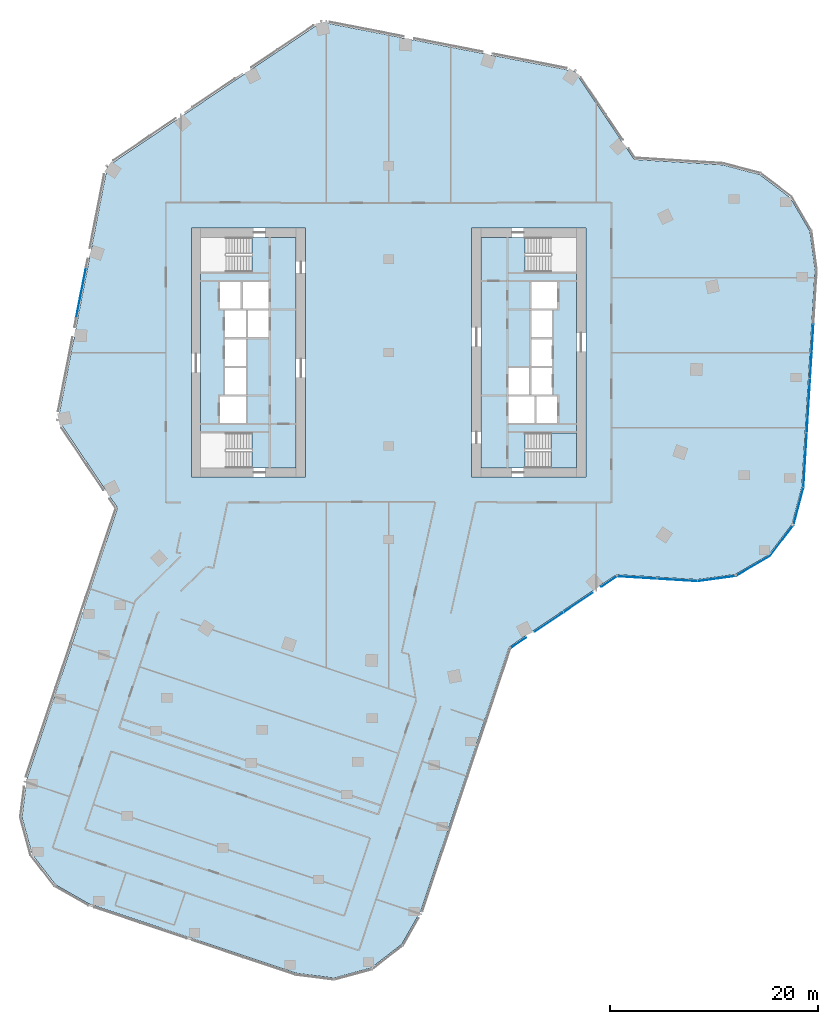
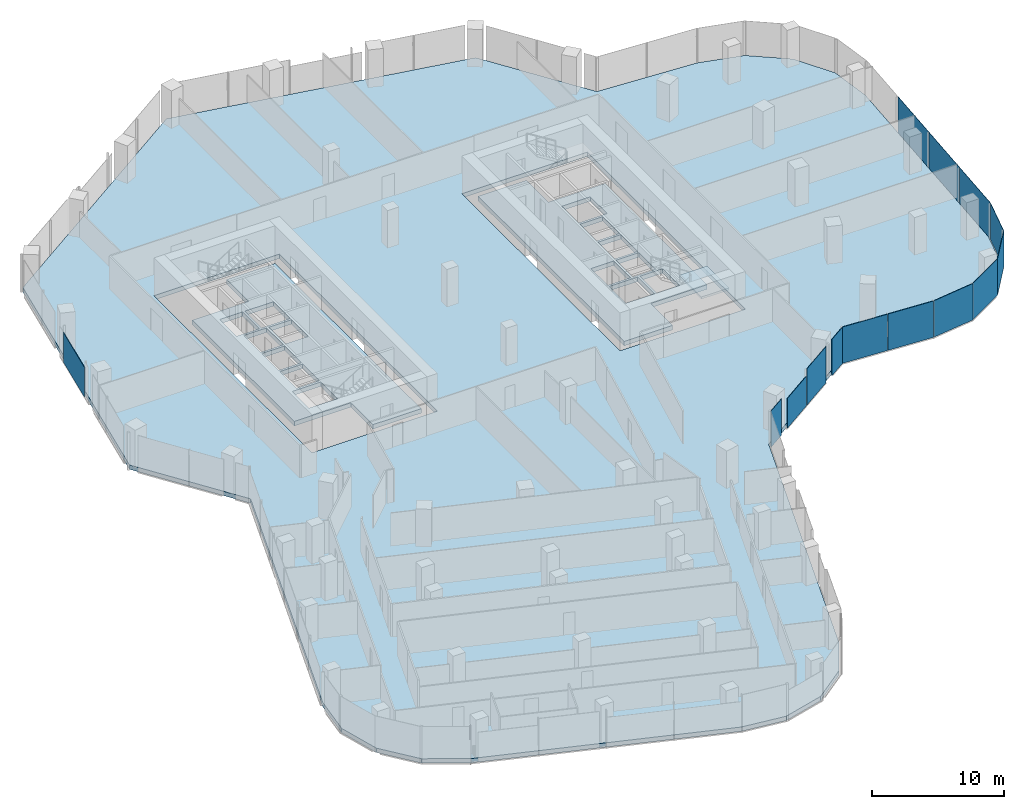
# One storey, part 16 of 25: 14 plates, 4 slabs, 9 elements without a shape of their own.
"""IFC4 building model written with IfcOpenShell, lengths in metres."""

from ifc_helpers import new_model, si_unit, direction, frame, origin, origin_2d, place, context, subcontext, project, spatial, polyline, rectangle, outline, extrude, material, layer, layer_set, type_object, element, aggregate, save


model = new_model("IFC4")

# Units and contexts
model_context = context("Model", 3, precision=1e-05, world=origin(), true_north=direction((0.0, 1.0)))
body_context = subcontext(model_context, "Body", "Model", "MODEL_VIEW")
ifc_project = project(units=[si_unit("LENGTHUNIT", "METRE"), si_unit("AREAUNIT", "SQUARE_METRE"), si_unit("VOLUMEUNIT", "CUBIC_METRE"), si_unit("PLANEANGLEUNIT", "RADIAN"), si_unit("MASSUNIT", "GRAM", prefix="KILO")], contexts=[model_context])

# Site, building, storey
site_placement = place(None, origin())
site = spatial("IfcSite", under=ifc_project, at=site_placement, CompositionType="ELEMENT")
building_placement = place(site_placement, origin())
building = spatial("IfcBuilding", under=site, at=building_placement, Name="Orlundy Tower", CompositionType="ELEMENT")
storey_placement = place(building_placement, frame((0.0, 0.0, 159.60009765625)))
storey = spatial("IfcBuildingStorey", under=building, at=storey_placement, Name="L41", CompositionType="ELEMENT", Elevation=159.60009765625)

# Curtain wall, plate
ifc_material_1 = material(Name="Aluminium bronze anodised", Category="aluminium")
curtain_wall_type = type_object("IfcCurtainWallType", Name="CW1 wall", PredefinedType="NOTDEFINED", material=ifc_material_1)
curtain_wall_1_placement = place(storey_placement, origin())
curtain_wall_1 = element("IfcCurtainWall", 1, at=curtain_wall_1_placement, inside=storey, type_object=curtain_wall_type, Name="CW1 run 02", PredefinedType="NOTDEFINED")
ifc_material_2 = material(Name="Tinted glass", Category="glass")
ifc_layer_1 = layer(ifc_material_2, 0.031982421875)
ifc_layer_set_1 = layer_set([ifc_layer_1], Name="CW1 glass panel 32")
plate_type = type_object("IfcPlateType", Name="CW1 glass panel 32", PredefinedType="CURTAIN_PANEL", material=ifc_layer_set_1)
plate_1_placement = place(storey_placement, frame((-29.610107421875, 5.75537109375, -0.2802734375), z_axis=(0.0, 0.0, 1.0), x_axis=(0.19080503976, 0.981627952333, 0.0)))
plate_1 = element("IfcPlate", 2, at=plate_1_placement, type_object=plate_type, Name="CW1 panel", PredefinedType="CURTAIN_PANEL", context=body_context, shape_type="SweptSolid", body=[
    extrude(rectangle(XDim=4.92041015625, YDim=0.031982421875, at=origin_2d()), origin(), (0.0, 0.0, 1.0), 2.763916015625),
])
aggregate(curtain_wall_1, [plate_1])

# Curtain wall, plates
curtain_wall_2_placement = place(storey_placement, origin())
curtain_wall_2 = element("IfcCurtainWall", 3, at=curtain_wall_2_placement, inside=storey, type_object=curtain_wall_type, Name="CW1 run 011", PredefinedType="NOTDEFINED")
plate_2_placement = place(storey_placement, frame((40.748046875, 0.1376953125, -0.280029296875), z_axis=(0.0, 0.0, 1.0), x_axis=(-0.061047131434, -0.998134884544, 0.0)))
plate_2 = element("IfcPlate", 4, at=plate_2_placement, type_object=plate_type, Name="CW1 panel", PredefinedType="CURTAIN_PANEL", context=body_context, shape_type="SweptSolid", body=[
    extrude(rectangle(XDim=5.199951171875, YDim=0.031982421875, at=origin_2d()), origin(), (0.0, 0.0, 1.0), 3.3798828125),
])
plate_3_placement = place(storey_placement, frame((40.427490234375, -5.1025390625, -0.280029296875), z_axis=(0.0, 0.0, 1.0), x_axis=(-0.061047131434, -0.998134884544, 0.0)))
plate_3 = element("IfcPlate", 5, at=plate_3_placement, type_object=plate_type, Name="CW1 panel", PredefinedType="CURTAIN_PANEL", context=body_context, shape_type="SweptSolid", body=[
    extrude(rectangle(XDim=5.199951171875, YDim=0.031982421875, at=origin_2d()), origin(), (0.0, 0.0, 1.0), 3.3798828125),
])
plate_4_placement = place(storey_placement, frame((40.1064453125, -10.350830078125, -0.280029296875), z_axis=(0.0, 0.0, 1.0), x_axis=(-0.061047131434, -0.998134884544, 0.0)))
plate_4 = element("IfcPlate", 6, at=plate_4_placement, type_object=plate_type, Name="CW1 panel", PredefinedType="CURTAIN_PANEL", context=body_context, shape_type="SweptSolid", body=[
    extrude(rectangle(XDim=5.216064453125, YDim=0.031982421875, at=origin_2d()), origin(), (0.0, 0.0, 1.0), 3.3798828125),
])
aggregate(curtain_wall_2, [plate_2, plate_3, plate_4])

# Curtain wall, plate
curtain_wall_3_placement = place(storey_placement, origin())
curtain_wall_3 = element("IfcCurtainWall", 7, at=curtain_wall_3_placement, inside=storey, type_object=curtain_wall_type, Name="CW1 run 012", PredefinedType="NOTDEFINED")
plate_5_placement = place(storey_placement, frame((39.46484375, -14.806884765625, -0.280029296875), z_axis=(0.0, 0.0, 1.0), x_axis=(-0.254453453106, -0.96708502222, 0.0)))
plate_5 = element("IfcPlate", 8, at=plate_5_placement, type_object=plate_type, Name="CW1 panel", PredefinedType="CURTAIN_PANEL", context=body_context, shape_type="SweptSolid", body=[
    extrude(rectangle(XDim=3.729736328125, YDim=0.031982421875, at=origin_2d()), origin(), (0.0, 0.0, 1.0), 3.3798828125),
])
aggregate(curtain_wall_3, [plate_5])

curtain_wall_4_placement = place(storey_placement, origin())
curtain_wall_4 = element("IfcCurtainWall", 9, at=curtain_wall_4_placement, inside=storey, type_object=curtain_wall_type, Name="CW1 run 013", PredefinedType="NOTDEFINED")
plate_6_placement = place(storey_placement, frame((37.8486328125, -18.11181640625, -0.280029296875), z_axis=(0.0, 0.0, 1.0), x_axis=(-0.605295262364, -0.796001033516, 0.0)))
plate_6 = element("IfcPlate", 10, at=plate_6_placement, type_object=plate_type, Name="CW1 panel", PredefinedType="CURTAIN_PANEL", context=body_context, shape_type="SweptSolid", body=[
    extrude(rectangle(XDim=3.7724609375, YDim=0.031982421875, at=origin_2d()), origin(), (0.0, 0.0, 1.0), 3.3798828125),
])
aggregate(curtain_wall_4, [plate_6])

curtain_wall_5_placement = place(storey_placement, origin())
curtain_wall_5 = element("IfcCurtainWall", 11, at=curtain_wall_5_placement, inside=storey, type_object=curtain_wall_type, Name="CW1 run 014", PredefinedType="NOTDEFINED")
plate_7_placement = place(storey_placement, frame((35.07763671875, -20.563232421875, -0.280029296875), z_axis=(0.0, 0.0, 1.0), x_axis=(-0.863876736944, -0.503703269164, 0.0)))
plate_7 = element("IfcPlate", 12, at=plate_7_placement, type_object=plate_type, Name="CW1 panel", PredefinedType="CURTAIN_PANEL", context=body_context, shape_type="SweptSolid", body=[
    extrude(rectangle(XDim=3.771728515625, YDim=0.031982421875, at=origin_2d()), origin(), (0.0, 0.0, 1.0), 3.3798828125),
])
aggregate(curtain_wall_5, [plate_7])

curtain_wall_6_placement = place(storey_placement, origin())
curtain_wall_6 = element("IfcCurtainWall", 13, at=curtain_wall_6_placement, inside=storey, type_object=curtain_wall_type, Name="CW1 run 015", PredefinedType="NOTDEFINED")
plate_8_placement = place(storey_placement, frame((31.600341796875, -21.7646484375, -0.280029296875), z_axis=(0.0, 0.0, 1.0), x_axis=(-0.990861331967, -0.134884472094, 0.0)))
plate_8 = element("IfcPlate", 14, at=plate_8_placement, type_object=plate_type, Name="CW1 panel", PredefinedType="CURTAIN_PANEL", context=body_context, shape_type="SweptSolid", body=[
    extrude(rectangle(XDim=3.73046875, YDim=0.031982421875, at=origin_2d()), origin(), (0.0, 0.0, 1.0), 3.3798828125),
])
aggregate(curtain_wall_6, [plate_8])

# Curtain wall, plates
curtain_wall_7_placement = place(storey_placement, origin())
curtain_wall_7 = element("IfcCurtainWall", 15, at=curtain_wall_7_placement, inside=storey, type_object=curtain_wall_type, Name="CW1 run 016", PredefinedType="NOTDEFINED")
plate_9_placement = place(storey_placement, frame((27.77685546875, -21.900390625, -0.280029296875), z_axis=(0.0, 0.0, 1.0), x_axis=(-0.998136147812, 0.061026473193, 0.0)))
plate_9 = element("IfcPlate", 16, at=plate_9_placement, type_object=plate_type, Name="CW1 panel", PredefinedType="CURTAIN_PANEL", context=body_context, shape_type="SweptSolid", body=[
    extrude(rectangle(XDim=3.857666015625, YDim=0.031982421875, at=origin_2d()), origin(), (0.0, 0.0, 1.0), 3.3798828125),
])
plate_10_placement = place(storey_placement, frame((23.899658203125, -21.663330078125, -0.280029296875), z_axis=(0.0, 0.0, 1.0), x_axis=(-0.998136147812, 0.061026473193, 0.0)))
plate_10 = element("IfcPlate", 17, at=plate_10_placement, type_object=plate_type, Name="CW1 panel", PredefinedType="CURTAIN_PANEL", context=body_context, shape_type="SweptSolid", body=[
    extrude(rectangle(XDim=3.81103515625, YDim=0.031982421875, at=origin_2d()), origin(), (0.0, 0.0, 1.0), 3.3798828125),
])
aggregate(curtain_wall_7, [plate_9, plate_10])

curtain_wall_8_placement = place(storey_placement, origin())
curtain_wall_8 = element("IfcCurtainWall", 18, at=curtain_wall_8_placement, inside=storey, type_object=curtain_wall_type, Name="CW1 run 017", PredefinedType="NOTDEFINED")
plate_11_placement = place(storey_placement, frame((21.2470703125, -22.05322265625, -0.280029296875), z_axis=(0.0, 0.0, 1.0), x_axis=(-0.829056587538, -0.559164711565, 0.0)))
plate_11 = element("IfcPlate", 19, at=plate_11_placement, type_object=plate_type, Name="CW1 panel", PredefinedType="CURTAIN_PANEL", context=body_context, shape_type="SweptSolid", body=[
    extrude(rectangle(XDim=1.810791015625, YDim=0.031982421875, at=origin_2d()), origin(), (0.0, 0.0, 1.0), 3.3798828125),
])
plate_12_placement = place(storey_placement, frame((18.269775390625, -24.061279296875, -0.280029296875), z_axis=(0.0, 0.0, 1.0), x_axis=(-0.829056587538, -0.559164711565, 0.0)))
plate_12 = element("IfcPlate", 20, at=plate_12_placement, type_object=plate_type, Name="CW1 panel", PredefinedType="CURTAIN_PANEL", context=body_context, shape_type="SweptSolid", body=[
    extrude(rectangle(XDim=3.33203125, YDim=0.031982421875, at=origin_2d()), origin(), (0.0, 0.0, 1.0), 3.3798828125),
])
plate_13_placement = place(storey_placement, frame((15.465576171875, -25.95263671875, -0.2802734375), z_axis=(0.0, 0.0, 1.0), x_axis=(-0.829056587538, -0.559164711565, 0.0)))
plate_13 = element("IfcPlate", 21, at=plate_13_placement, type_object=plate_type, Name="CW1 panel", PredefinedType="CURTAIN_PANEL", context=body_context, shape_type="SweptSolid", body=[
    extrude(rectangle(XDim=3.33251953125, YDim=0.031982421875, at=origin_2d()), origin(), (0.0, 0.0, 1.0), 2.763916015625),
])
plate_14_placement = place(storey_placement, frame((12.487548828125, -27.961181640625, -0.280029296875), z_axis=(0.0, 0.0, 1.0), x_axis=(-0.829056587538, -0.559164711565, 0.0)))
plate_14 = element("IfcPlate", 22, at=plate_14_placement, type_object=plate_type, Name="CW1 panel", PredefinedType="CURTAIN_PANEL", context=body_context, shape_type="SweptSolid", body=[
    extrude(rectangle(XDim=1.808837890625, YDim=0.031982421875, at=origin_2d()), origin(), (0.0, 0.0, 1.0), 3.3798828125),
])
aggregate(curtain_wall_8, [plate_11, plate_12, plate_13, plate_14])

# Slabs
ifc_material_3 = material(Name="Concrete C50/60", Category="concrete")
ifc_layer_2 = layer(ifc_material_3, 0.409912109375)
ifc_layer_set_2 = layer_set([ifc_layer_2], Name="Core Floor Slab 410")
slab_type_1 = type_object("IfcSlabType", Name="Core Floor Slab 410", PredefinedType="FLOOR", material=ifc_layer_set_2)
slab_1_placement = place(storey_placement, frame((0.0, 0.0, -0.41015625)))
element("IfcSlab", 23, at=slab_1_placement, inside=storey, type_object=slab_type_1, Name="Core floor W32", PredefinedType="FLOOR", context=body_context, shape_type="SweptSolid", body=[
    extrude(outline(polyline([(-13.14501953125, -11.10009765625), (-13.14501953125, -7.75), (-18.10009765625, -7.75), (-18.10009765625, 7.75), (-13.14501953125, 7.75), (-13.14501953125, 11.10009765625), (-8.89990234375, 11.10009765625), (-8.89990234375, -11.10009765625), (-13.14501953125, -11.10009765625)]), holes=[polyline([(-13.739990234375, -4.22509765625), (-16.239990234375, -4.22509765625), (-16.239990234375, -6.77490234375), (-13.739990234375, -6.77490234375), (-13.739990234375, -4.22509765625)]), polyline([(-13.739990234375, -4.02490234375), (-13.739990234375, -1.47509765625), (-15.739990234375, -1.47509765625), (-15.739990234375, -4.02490234375), (-13.739990234375, -4.02490234375)]), polyline([(-15.739990234375, -1.27490234375), (-13.739990234375, -1.27490234375), (-13.739990234375, 1.27490234375), (-15.739990234375, 1.27490234375), (-15.739990234375, -1.27490234375)]), polyline([(-13.5400390625, 4.02490234375), (-13.5400390625, 1.47509765625), (-11.5400390625, 1.47509765625), (-11.5400390625, 4.02490234375), (-13.5400390625, 4.02490234375)]), polyline([(-13.739990234375, 4.02490234375), (-15.739990234375, 4.02490234375), (-15.739990234375, 1.47509765625), (-13.739990234375, 1.47509765625), (-13.739990234375, 4.02490234375)]), polyline([(-11.5400390625, 4.22509765625), (-11.5400390625, 6.77490234375), (-14.0400390625, 6.77490234375), (-14.0400390625, 4.22509765625), (-11.5400390625, 4.22509765625)]), polyline([(-16.239990234375, 4.22509765625), (-14.239990234375, 4.22509765625), (-14.239990234375, 6.77490234375), (-16.239990234375, 6.77490234375), (-16.239990234375, 4.22509765625)])]), origin(), (0.0, 0.0, 1.0), 0.41015625),
])
slab_2_placement = place(storey_placement, frame((0.0, 0.0, -0.41015625)))
element("IfcSlab", 24, at=slab_2_placement, inside=storey, type_object=slab_type_1, Name="Core floor E32", PredefinedType="FLOOR", context=body_context, shape_type="SweptSolid", body=[
    extrude(outline(polyline([(13.14501953125, 11.10009765625), (13.14501953125, 7.75), (18.10009765625, 7.75), (18.10009765625, -7.75), (13.14501953125, -7.75), (13.14501953125, -11.10009765625), (8.89990234375, -11.10009765625), (8.89990234375, 11.10009765625), (13.14501953125, 11.10009765625)]), holes=[polyline([(13.739990234375, 4.22509765625), (16.239990234375, 4.22509765625), (16.239990234375, 6.77490234375), (13.739990234375, 6.77490234375), (13.739990234375, 4.22509765625)]), polyline([(13.739990234375, 4.02490234375), (13.739990234375, 1.47509765625), (15.739990234375, 1.47509765625), (15.739990234375, 4.02490234375), (13.739990234375, 4.02490234375)]), polyline([(15.739990234375, 1.27490234375), (13.739990234375, 1.27490234375), (13.739990234375, -1.27490234375), (15.739990234375, -1.27490234375), (15.739990234375, 1.27490234375)]), polyline([(13.5400390625, -4.02490234375), (13.5400390625, -1.47509765625), (11.5400390625, -1.47509765625), (11.5400390625, -4.02490234375), (13.5400390625, -4.02490234375)]), polyline([(13.739990234375, -4.02490234375), (15.739990234375, -4.02490234375), (15.739990234375, -1.47509765625), (13.739990234375, -1.47509765625), (13.739990234375, -4.02490234375)]), polyline([(11.5400390625, -4.22509765625), (11.5400390625, -6.77490234375), (14.0400390625, -6.77490234375), (14.0400390625, -4.22509765625), (11.5400390625, -4.22509765625)]), polyline([(16.239990234375, -4.22509765625), (14.239990234375, -4.22509765625), (14.239990234375, -6.77490234375), (16.239990234375, -6.77490234375), (16.239990234375, -4.22509765625)])]), origin(), (0.0, 0.0, 1.0), 0.41015625),
])

# Stair, slab
ifc_material_4 = material(Name="Concrete C50/60", Category="concrete")
stair_type = type_object("IfcStairType", Name="Exit Stair 20 risers", PredefinedType="HALF_TURN_STAIR", material=ifc_material_4)
stair_placement = place(storey_placement, origin())
stair = element("IfcStair", 25, at=stair_placement, inside=storey, type_object=stair_type, Name="L41 Exit Stair ST-E1", PredefinedType="HALF_TURN_STAIR")
ifc_material_5 = material(Name="Concrete C50/60", Category="concrete")
ifc_layer_3 = layer(ifc_material_5, 0.199951171875)
ifc_layer_set_3 = layer_set([ifc_layer_3], Name="Exit Stair Landing")
slab_type_2 = type_object("IfcSlabType", Name="Exit Stair Landing", PredefinedType="LANDING", material=ifc_layer_set_3)
slab_3_placement = place(storey_placement, frame((0.0, 0.0, 1.5498046875)))
slab_3 = element("IfcSlab", 26, at=slab_3_placement, type_object=slab_type_2, Name="ST-E1 landing 1", PredefinedType="LANDING", context=body_context, shape_type="SweptSolid", body=[
    extrude(outline(polyline([(15.659912109375, -11.10009765625), (18.10009765625, -11.10009765625), (18.10009765625, -7.75), (15.659912109375, -7.75), (15.659912109375, -11.10009765625)])), origin(), (0.0, 0.0, 1.0), 0.2001953125),
])
aggregate(stair, [slab_3])

# Slab
ifc_material_6 = material(Name="Concrete C45/55", Category="concrete")
ifc_layer_4 = layer(ifc_material_6, 0.39990234375)
ifc_layer_set_4 = layer_set([ifc_layer_4], Name="FLOOR SLAB THICK 400 C45/55")
slab_type_3 = type_object("IfcSlabType", Name="FLOOR SLAB THICK 400 C45/55", PredefinedType="FLOOR", material=ifc_layer_set_4)
slab_4_placement = place(storey_placement, frame((0.0, 0.0, -0.400146484375)))
element("IfcSlab", 27, at=slab_4_placement, inside=storey, type_object=slab_type_3, Name="Floor slab L41", PredefinedType="FLOOR", context=body_context, shape_type="SweptSolid", body=[
    extrude(outline(polyline([(-26.095947265625, -14.9599609375), (-31.820068359375, -6.47412109375), (-27.077880859375, 17.922119140625), (-6.47412109375, 31.820068359375), (17.922119140625, 27.077880859375), (23.64697265625, 18.591064453125), (32.1630859375, 18.070068359375), (35.748046875, 17.1259765625), (38.697998046875, 14.883056640625), (40.56591796875, 11.680908203125), (41.06494140625, 8.008056640625), (39.782958984375, -12.952880859375), (38.840087890625, -16.537109375), (36.595947265625, -19.488037109375), (33.39404296875, -21.35498046875), (29.720947265625, -21.85498046875), (21.951904296875, -21.3798828125), (11.60009765625, -28.362060546875), (3.10107421875, -53.761962890625), (1.261962890625, -56.97998046875), (-1.6689453125, -59.25), (-5.2451171875, -60.22509765625), (-8.922119140625, -59.757080078125), (-28.8369140625, -53.093994140625), (-32.054931640625, -51.25390625), (-34.324951171875, -48.322998046875), (-35.299072265625, -44.7470703125), (-34.83203125, -41.070068359375), (-26.095947265625, -14.9599609375)]), holes=[polyline([(-8.0, -12.0), (-8.0, 12.0), (-19.0, 12.0), (-19.0, -12.0), (-8.0, -12.0)]), polyline([(19.0, -12.0), (19.0, 12.0), (8.0, 12.0), (8.0, -12.0), (19.0, -12.0)])]), origin(), (0.0, 0.0, 1.0), 0.400146484375),
])

save(model, "model.ifc")
